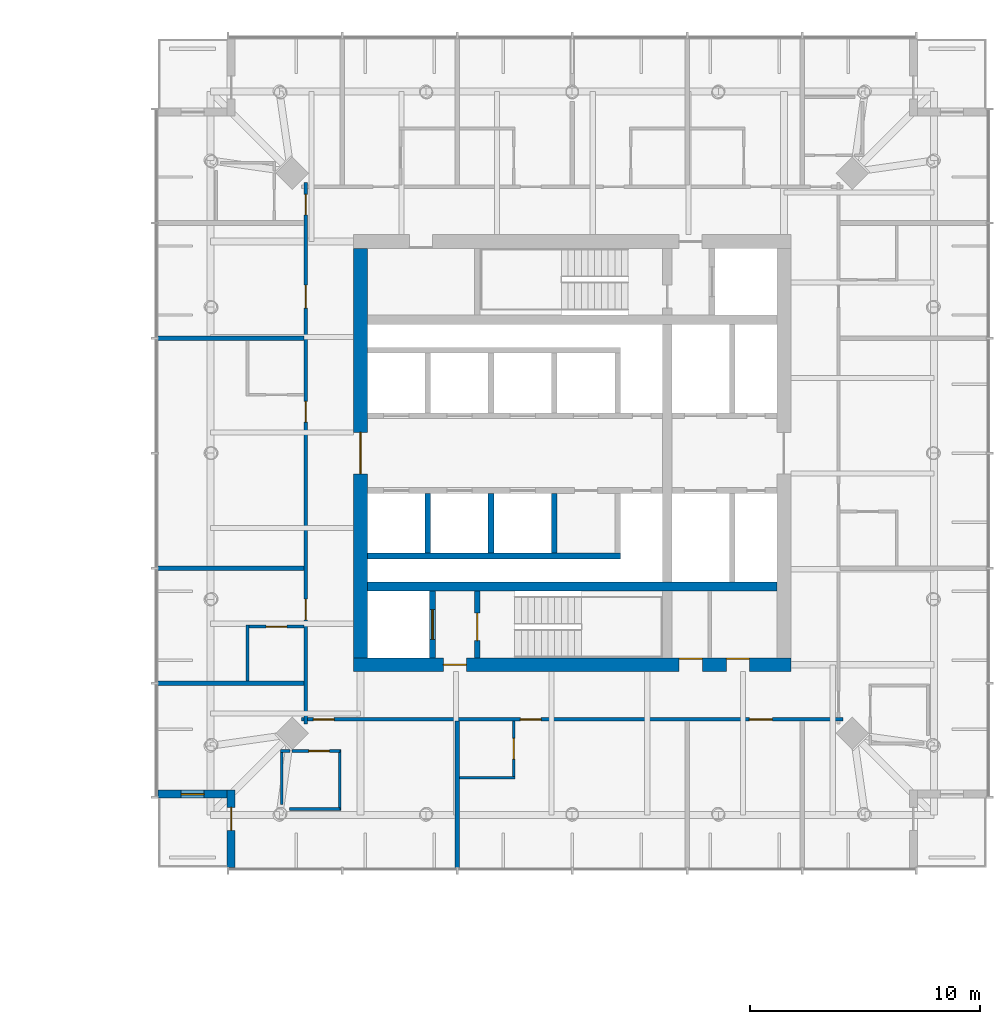
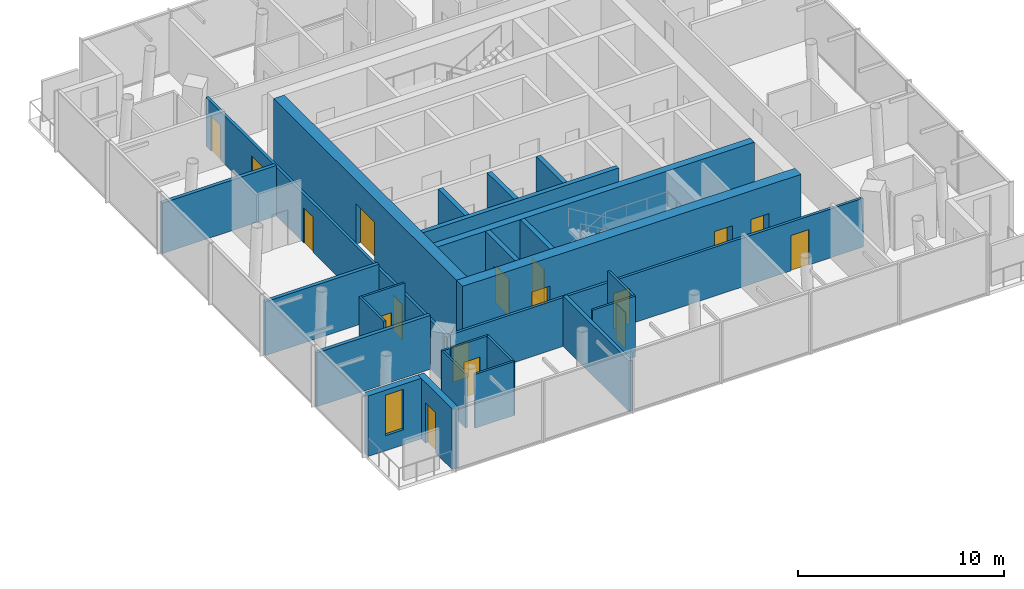
# One storey, part 12 of 18: 26 walls, 17 doors, 1 window, 18 openings.
"""IFC4 building model written with IfcOpenShell, lengths in metres."""

from ifc_helpers import new_model, si_unit, direction, frame, frame_2d, origin, place, context, subcontext, project, spatial, rectangle, extrude, material, layer, layer_set, type_object, element, fill, save


model = new_model("IFC4")

# Units and contexts
model_context = context("Model", 3, precision=1e-05, world=origin(), true_north=direction((0.0, 1.0)))
body_context = subcontext(model_context, "Body", "Model", "MODEL_VIEW")
ifc_project = project(units=[si_unit("LENGTHUNIT", "METRE"), si_unit("AREAUNIT", "SQUARE_METRE"), si_unit("VOLUMEUNIT", "CUBIC_METRE"), si_unit("PLANEANGLEUNIT", "RADIAN"), si_unit("MASSUNIT", "GRAM", prefix="KILO")], contexts=[model_context])

# Site, building, storey
site_placement = place(None, origin())
site = spatial("IfcSite", under=ifc_project, at=site_placement, CompositionType="ELEMENT")
building_placement = place(site_placement, origin())
building = spatial("IfcBuilding", under=site, at=building_placement, Name="Ostroluk Exchange", CompositionType="ELEMENT")
storey_placement = place(building_placement, frame((0.0, 0.0, 97.0)))
storey = spatial("IfcBuildingStorey", under=building, at=storey_placement, Name="L24", CompositionType="ELEMENT", Elevation=97.0)

# Wall
ifc_material_1 = material(Name="Concrete C50/60", Category="concrete")
ifc_layer_1 = layer(ifc_material_1, 0.39990234375)
ifc_layer_set_1 = layer_set([ifc_layer_1], Name="Core cross wall 400 C50/60")
wall_type_1 = type_object("IfcWallType", Name="Core cross wall 400 C50/60", PredefinedType="SHEAR", material=ifc_layer_set_1)
wall_1_placement = place(storey_placement, frame((108.10009765625, 40.199951171875, 0.0), z_axis=(0.0, 0.0, 1.0), x_axis=(1.0, 0.0, 0.0)))
element("IfcWall", 1, at=wall_1_placement, inside=storey, type_object=wall_type_1, Name="T2 core wall XS", PredefinedType="SHEAR", context=body_context, shape_type="SweptSolid", body=[
    extrude(rectangle(XDim=17.7998046875, YDim=0.39990234375, at=frame_2d((8.89990234375, 0.0))), origin(), (0.0, 0.0, 1.0), 3.800048828125),
])

# Wall, opening, door
ifc_material_2 = material(Name="Concrete C40/50", Category="concrete")
ifc_layer_2 = layer(ifc_material_2, 0.25)
ifc_layer_set_2 = layer_set([ifc_layer_2], Name="Core shaft wall 250")
wall_type_2 = type_object("IfcWallType", Name="Core shaft wall 250", PredefinedType="SHEAR", material=ifc_layer_set_2)
wall_2_placement = place(storey_placement, frame((110.925048828125, 37.10009765625, 0.0), z_axis=(0.0, 0.0, 1.0), x_axis=(0.0, 1.0, 0.0)))
wall_2 = element("IfcWall", 2, at=wall_2_placement, inside=storey, type_object=wall_type_2, Name="Firefighting lift shaft wall", PredefinedType="SHEAR", context=body_context, shape_type="SweptSolid", body=[
    extrude(rectangle(XDim=2.89990234375, YDim=0.25, at=frame_2d((1.449951171875, 0.0))), origin(), (0.0, 0.0, 1.0), 3.800048828125),
])
opening_1_placement = place(wall_2_placement, frame((0.800048828125, 0.0, 0.0)))
opening_1 = element("IfcOpeningElement", 3, at=opening_1_placement, cuts=wall_2, Name="Opening LD2", PredefinedType="OPENING", context=body_context, shape_type="SweptSolid", body=[
    extrude(rectangle(XDim=1.300048828125, YDim=2.199951171875, at=frame_2d((0.64990234375, 1.10009765625))), frame((0.0, 0.135009765625, 0.0), z_axis=(0.0, -1.0, 0.0), x_axis=(1.0, 0.0, 0.0)), (0.0, 0.0, 1.0), 0.27001953125),
])
ifc_material_3 = material(Name="Stainless steel", Category="steel")
door_type_1 = type_object("IfcDoorType", Name="Lift landing door E 60 1300 x 2200", OperationType="DOUBLE_DOOR_SLIDING", PredefinedType="DOOR", material=ifc_material_3)
door_1_placement = place(opening_1_placement, origin())
door_1 = element("IfcDoor", 4, at=door_1_placement, inside=storey, type_object=door_type_1, Name="Lift HF1 landing door", OperationType="DOUBLE_DOOR_SLIDING", OverallHeight=2.199951171875, OverallWidth=1.300048828125, PredefinedType="DOOR", context=body_context, shape_type="SweptSolid", body=[
    extrude(rectangle(XDim=1.300048828125, YDim=2.199951171875, at=frame_2d((0.64990234375, 1.10009765625))), frame((0.0, 0.02490234375, 0.0), z_axis=(0.0, -1.0, 0.0), x_axis=(1.0, 0.0, 0.0)), (0.0, 0.0, 1.0), 0.050048828125),
])
fill(opening_1, door_1)

wall_3_placement = place(storey_placement, frame((112.875, 37.10009765625, 0.0), z_axis=(0.0, 0.0, 1.0), x_axis=(0.0, 1.0, 0.0)))
wall_3 = element("IfcWall", 5, at=wall_3_placement, inside=storey, type_object=wall_type_2, Name="Stair shaft wall", PredefinedType="SHEAR", context=body_context, shape_type="SweptSolid", body=[
    extrude(rectangle(XDim=2.89990234375, YDim=0.25, at=frame_2d((1.449951171875, 0.0))), origin(), (0.0, 0.0, 1.0), 3.800048828125),
])
opening_2_placement = place(wall_3_placement, frame((0.75, 0.0, 0.0)))
opening_2 = element("IfcOpeningElement", 6, at=opening_2_placement, cuts=wall_3, Name="Opening FD60S", PredefinedType="OPENING", context=body_context, shape_type="SweptSolid", body=[
    extrude(rectangle(XDim=1.199951171875, YDim=2.10009765625, at=frame_2d((0.60009765625, 1.050048828125))), frame((0.0, 0.135009765625, 0.0), z_axis=(0.0, -1.0, 0.0), x_axis=(1.0, 0.0, 0.0)), (0.0, 0.0, 1.0), 0.27001953125),
])
ifc_material_4 = material(Name="Steel", Category="steel")
door_type_2 = type_object("IfcDoorType", Name="Stair door EI 60 1200 x 2100", OperationType="SINGLE_SWING_LEFT", PredefinedType="DOOR", material=ifc_material_4)
door_2_placement = place(opening_2_placement, origin())
door_2 = element("IfcDoor", 7, at=door_2_placement, inside=storey, type_object=door_type_2, Name="Stair T2-S1 door", OperationType="SINGLE_SWING_LEFT", OverallHeight=2.10009765625, OverallWidth=1.199951171875, PredefinedType="DOOR", context=body_context, shape_type="SweptSolid", body=[
    extrude(rectangle(XDim=1.199951171875, YDim=2.10009765625, at=frame_2d((0.60009765625, 1.050048828125))), frame((0.0, 0.02490234375, 0.0), z_axis=(0.0, -1.0, 0.0), x_axis=(1.0, 0.0, 0.0)), (0.0, 0.0, 1.0), 0.050048828125),
])
fill(opening_2, door_2)

# Walls
for number, where, z_axis, x_axis, name in (
    (8, (110.72509765625, 44.25, 0.0), (0.0, 0.0, 1.0), (0.0, -1.0, 0.0), "Lift shaft wall"),
    (9, (113.47509765625, 44.25, 0.0), (0.0, 0.0, 1.0), (0.0, -1.0, 0.0), "Lift shaft wall"),
    (10, (116.22509765625, 44.25, 0.0), (0.0, 0.0, 1.0), (0.0, -1.0, 0.0), "Lift shaft wall"),
):
    element("IfcWall", number, at=place(storey_placement, frame(where, z_axis=z_axis, x_axis=x_axis)), inside=storey, type_object=wall_type_2, Name=name, PredefinedType="SHEAR", context=body_context, shape_type="SweptSolid", body=[
        extrude(rectangle(XDim=2.60009765625, YDim=0.25, at=frame_2d((1.300048828125, 0.0))), origin(), (0.0, 0.0, 1.0), 3.800048828125),
    ])
wall_4_placement = place(storey_placement, frame((108.10009765625, 41.52490234375, 0.0), z_axis=(0.0, 0.0, 1.0), x_axis=(1.0, 0.0, 0.0)))
element("IfcWall", 11, at=wall_4_placement, inside=storey, type_object=wall_type_2, Name="Lift shaft wall", PredefinedType="SHEAR", context=body_context, shape_type="SweptSolid", body=[
    extrude(rectangle(XDim=11.0, YDim=0.25, at=frame_2d((5.5, 0.0))), origin(), (0.0, 0.0, 1.0), 3.800048828125),
])

# Wall, openings, doors
ifc_material_5 = material(Name="Concrete C50/60", Category="concrete")
ifc_layer_3 = layer(ifc_material_5, 0.60009765625)
ifc_layer_set_3 = layer_set([ifc_layer_3], Name="Core wall 600 C50/60")
wall_type_3 = type_object("IfcWallType", Name="Core wall 600 C50/60", PredefinedType="SHEAR", material=ifc_layer_set_3)
wall_5_placement = place(storey_placement, frame((107.5, 36.800048828125, 0.0), z_axis=(0.0, 0.0, 1.0), x_axis=(1.0, 0.0, 0.0)))
wall_5 = element("IfcWall", 12, at=wall_5_placement, inside=storey, type_object=wall_type_3, Name="T2 core wall S", PredefinedType="SHEAR", context=body_context, shape_type="SweptSolid", body=[
    extrude(rectangle(XDim=19.0, YDim=0.60009765625, at=frame_2d((9.5, 0.0))), origin(), (0.0, 0.0, 1.0), 3.800048828125),
])
opening_3_placement = place(wall_5_placement, frame((3.89990234375, 0.0, 0.0)))
opening_3 = element("IfcOpeningElement", 13, at=opening_3_placement, cuts=wall_5, Name="Opening FD60", PredefinedType="OPENING", context=body_context, shape_type="SweptSolid", body=[
    extrude(rectangle(XDim=1.0, YDim=2.10009765625, at=frame_2d((0.5, 1.050048828125))), frame((0.0, 0.31005859375, 0.0), z_axis=(0.0, -1.0, 0.0), x_axis=(1.0, 0.0, 0.0)), (0.0, 0.0, 1.0), 0.6201171875),
])
opening_4_placement = place(wall_5_placement, frame((14.152587890625, 0.0, 0.0)))
opening_4 = element("IfcOpeningElement", 14, at=opening_4_placement, cuts=wall_5, Name="Opening FD60", PredefinedType="OPENING", context=body_context, shape_type="SweptSolid", body=[
    extrude(rectangle(XDim=1.0, YDim=2.10009765625, at=frame_2d((0.5, 1.050048828125))), frame((0.0, 0.31005859375, 0.0), z_axis=(0.0, -1.0, 0.0), x_axis=(1.0, 0.0, 0.0)), (0.0, 0.0, 1.0), 0.6201171875),
])
opening_5_placement = place(wall_5_placement, frame((16.199951171875, 0.0, 0.0)))
opening_5 = element("IfcOpeningElement", 15, at=opening_5_placement, cuts=wall_5, Name="Opening FD60", PredefinedType="OPENING", context=body_context, shape_type="SweptSolid", body=[
    extrude(rectangle(XDim=1.0, YDim=2.10009765625, at=frame_2d((0.5, 1.050048828125))), frame((0.0, 0.31005859375, 0.0), z_axis=(0.0, -1.0, 0.0), x_axis=(1.0, 0.0, 0.0)), (0.0, 0.0, 1.0), 0.6201171875),
])
ifc_material_6 = material(Name="Steel", Category="steel")
door_type_3 = type_object("IfcDoorType", Name="Fire door EI 60 1000 x 2100", OperationType="SINGLE_SWING_LEFT", PredefinedType="DOOR", material=ifc_material_6)
door_3_placement = place(opening_3_placement, origin())
door_3 = element("IfcDoor", 16, at=door_3_placement, inside=storey, type_object=door_type_3, Name="Firefighting lobby door", OperationType="SINGLE_SWING_LEFT", OverallHeight=2.10009765625, OverallWidth=1.0, PredefinedType="DOOR", context=body_context, shape_type="SweptSolid", body=[
    extrude(rectangle(XDim=1.0, YDim=2.10009765625, at=frame_2d((0.5, 1.050048828125))), frame((0.0, 0.02490234375, 0.0), z_axis=(0.0, -1.0, 0.0), x_axis=(1.0, 0.0, 0.0)), (0.0, 0.0, 1.0), 0.050048828125),
])
fill(opening_3, door_3)
door_4_placement = place(opening_4_placement, origin())
door_4 = element("IfcDoor", 17, at=door_4_placement, inside=storey, type_object=door_type_3, Name="Comms room door", OperationType="SINGLE_SWING_RIGHT", OverallHeight=2.10009765625, OverallWidth=1.0, PredefinedType="DOOR", context=body_context, shape_type="SweptSolid", body=[
    extrude(rectangle(XDim=1.0, YDim=2.10009765625, at=frame_2d((0.5, 1.050048828125))), frame((0.0, 0.2900390625, 0.0), z_axis=(0.0, -1.0, 0.0), x_axis=(1.0, 0.0, 0.0)), (0.0, 0.0, 1.0), 0.050048828125),
])
fill(opening_4, door_4)
door_5_placement = place(opening_5_placement, origin())
door_5 = element("IfcDoor", 18, at=door_5_placement, inside=storey, type_object=door_type_3, Name="Ice and vending room door", OperationType="SINGLE_SWING_RIGHT", OverallHeight=2.10009765625, OverallWidth=1.0, PredefinedType="DOOR", context=body_context, shape_type="SweptSolid", body=[
    extrude(rectangle(XDim=1.0, YDim=2.10009765625, at=frame_2d((0.5, 1.050048828125))), frame((0.0, 0.2900390625, 0.0), z_axis=(0.0, -1.0, 0.0), x_axis=(1.0, 0.0, 0.0)), (0.0, 0.0, 1.0), 0.050048828125),
])
fill(opening_5, door_5)

# Wall, opening, door
wall_6_placement = place(storey_placement, frame((107.800048828125, 37.10009765625, 0.0), z_axis=(0.0, 0.0, 1.0), x_axis=(0.0, 1.0, 0.0)))
wall_6 = element("IfcWall", 19, at=wall_6_placement, inside=storey, type_object=wall_type_3, Name="T2 core wall W", PredefinedType="SHEAR", context=body_context, shape_type="SweptSolid", body=[
    extrude(rectangle(XDim=17.7998046875, YDim=0.60009765625, at=frame_2d((8.89990234375, 0.0))), origin(), (0.0, 0.0, 1.0), 3.800048828125),
])
opening_6_placement = place(wall_6_placement, frame((8.0, 0.0, 0.0)))
opening_6 = element("IfcOpeningElement", 20, at=opening_6_placement, cuts=wall_6, Name="Opening FD30D", PredefinedType="OPENING", context=body_context, shape_type="SweptSolid", body=[
    extrude(rectangle(XDim=1.800048828125, YDim=2.39990234375, at=frame_2d((0.89990234375, 1.199951171875))), frame((0.0, 0.31005859375, 0.0), z_axis=(0.0, -1.0, 0.0), x_axis=(1.0, 0.0, 0.0)), (0.0, 0.0, 1.0), 0.6201171875),
])
ifc_material_7 = material(Name="Timber", Category="wood")
door_type_4 = type_object("IfcDoorType", Name="Lobby double door EI 30 1800 x 2400", OperationType="DOUBLE_DOOR_SINGLE_SWING", PredefinedType="DOOR", material=ifc_material_7)
door_6_placement = place(opening_6_placement, origin())
door_6 = element("IfcDoor", 21, at=door_6_placement, inside=storey, type_object=door_type_4, Name="Lift lobby doors", OperationType="DOUBLE_DOOR_SINGLE_SWING", OverallHeight=2.39990234375, OverallWidth=1.800048828125, PredefinedType="DOOR", context=body_context, shape_type="SweptSolid", body=[
    extrude(rectangle(XDim=1.800048828125, YDim=2.39990234375, at=frame_2d((0.89990234375, 1.199951171875))), frame((0.0, 0.02490234375, 0.0), z_axis=(0.0, -1.0, 0.0), x_axis=(1.0, 0.0, 0.0)), (0.0, 0.0, 1.0), 0.050048828125),
])
fill(opening_6, door_6)

ifc_material_8 = material(Name="Limestone", Category="masonry")
ifc_layer_4 = layer(ifc_material_8, 0.35009765625)
ifc_layer_set_4 = layer_set([ifc_layer_4], Name="Limestone facade wall 350")
wall_type_4 = type_object("IfcWallType", Name="Limestone facade wall 350", PredefinedType="SOLIDWALL", material=ifc_layer_set_4)
wall_7_placement = place(storey_placement, frame((102.175048828125, 28.0, 0.0), z_axis=(0.0, 0.0, 1.0), x_axis=(0.0, 1.0, 0.0)))
wall_7 = element("IfcWall", 22, at=wall_7_placement, inside=storey, type_object=wall_type_4, Name="Hotel tower SW corner wall L24 a", PredefinedType="SOLIDWALL", context=body_context, shape_type="SweptSolid", body=[
    extrude(rectangle(XDim=3.35009765625, YDim=0.35009765625, at=frame_2d((1.675048828125, 0.0))), origin(), (0.0, 0.0, 1.0), 3.60009765625),
])
opening_7_placement = place(wall_7_placement, frame((1.60009765625, 0.0, 0.0)))
opening_7 = element("IfcOpeningElement", 23, at=opening_7_placement, cuts=wall_7, Name="Opening D-B1", PredefinedType="OPENING", context=body_context, shape_type="SweptSolid", body=[
    extrude(rectangle(XDim=1.0, YDim=2.39990234375, at=frame_2d((0.5, 1.199951171875))), frame((0.0, 0.18505859375, 0.0), z_axis=(0.0, -1.0, 0.0), x_axis=(1.0, 0.0, 0.0)), (0.0, 0.0, 1.0), 0.3701171875),
])
ifc_material_9 = material(Name="Bronze framed glazed door", Category="aluminium")
door_type_5 = type_object("IfcDoorType", Name="Balcony door 1000 x 2400", OperationType="SINGLE_SWING_LEFT", PredefinedType="DOOR", material=ifc_material_9)
door_7_placement = place(opening_7_placement, origin())
door_7 = element("IfcDoor", 24, at=door_7_placement, inside=storey, type_object=door_type_5, Name="Hotel tower SW balcony door L24", OperationType="SINGLE_SWING_RIGHT", OverallHeight=2.39990234375, OverallWidth=1.0, PredefinedType="DOOR", context=body_context, shape_type="SweptSolid", body=[
    extrude(rectangle(XDim=1.0, YDim=2.39990234375, at=frame_2d((0.5, 1.199951171875))), frame((0.0, 0.02490234375, 0.0), z_axis=(0.0, -1.0, 0.0), x_axis=(1.0, 0.0, 0.0)), (0.0, 0.0, 1.0), 0.050048828125),
])
fill(opening_7, door_7)

# Wall, opening, window
wall_8_placement = place(storey_placement, frame((102.0, 31.175048828125, 0.0), z_axis=(0.0, 0.0, 1.0), x_axis=(-1.0, 0.0, 0.0)))
wall_8 = element("IfcWall", 25, at=wall_8_placement, inside=storey, type_object=wall_type_4, Name="Hotel tower SW corner wall L24 b", PredefinedType="SOLIDWALL", context=body_context, shape_type="SweptSolid", body=[
    extrude(rectangle(XDim=3.0, YDim=0.35009765625, at=frame_2d((1.5, 0.0))), origin(), (0.0, 0.0, 1.0), 3.60009765625),
])
opening_8_placement = place(wall_8_placement, frame((1.0, 0.0, 0.89990234375)))
opening_8 = element("IfcOpeningElement", 26, at=opening_8_placement, cuts=wall_8, Name="Opening WN-L3", PredefinedType="OPENING", context=body_context, shape_type="SweptSolid", body=[
    extrude(rectangle(XDim=1.0, YDim=2.39990234375, at=frame_2d((0.5, 1.199951171875))), frame((0.0, 0.18505859375, 0.0), z_axis=(0.0, -1.0, 0.0), x_axis=(1.0, 0.0, 0.0)), (0.0, 0.0, 1.0), 0.3701171875),
])
ifc_material_10 = material(Name="Laminated clear glass", Category="glass")
window_type = type_object("IfcWindowType", Name="Hotel lancet window 1000 x 2400", PartitioningType="SINGLE_PANEL", PredefinedType="WINDOW", material=ifc_material_10)
window_placement = place(opening_8_placement, origin())
window = element("IfcWindow", 27, at=window_placement, inside=storey, type_object=window_type, Name="Hotel tower SW lancet window L24", OverallHeight=2.39990234375, OverallWidth=1.0, PartitioningType="SINGLE_PANEL", PredefinedType="WINDOW", context=body_context, shape_type="SweptSolid", body=[
    extrude(rectangle(XDim=1.0, YDim=2.39990234375, at=frame_2d((0.5, 1.199951171875))), frame((0.0, 0.030029296875, 0.0), z_axis=(0.0, -1.0, 0.0), x_axis=(1.0, 0.0, 0.0)), (0.0, 0.0, 1.0), 0.06005859375),
])
fill(opening_8, window)

# Wall
ifc_material_11 = material(Name="Gypsum plasterboard partition, moisture resistant", Category="gypsum")
ifc_layer_5 = layer(ifc_material_11, 0.1201171875)
ifc_layer_set_5 = layer_set([ifc_layer_5], Name="Plasterboard en-suite wall 120")
wall_type_5 = type_object("IfcWallType", Name="Plasterboard en-suite wall 120", PredefinedType="PARTITIONING", material=ifc_layer_set_5)
wall_9_placement = place(storey_placement, frame((102.889892578125, 38.52001953125, 0.0), z_axis=(0.0, 0.0, 1.0), x_axis=(0.0, -1.0, 0.0)))
element("IfcWall", 28, at=wall_9_placement, inside=storey, type_object=wall_type_5, Name="En-suite wall", PredefinedType="PARTITIONING", context=body_context, shape_type="SweptSolid", body=[
    extrude(rectangle(XDim=2.419921875, YDim=0.1201171875, at=frame_2d((1.2099609375, 0.0))), origin(), (0.0, 0.0, 1.0), 3.60009765625),
])

# Wall, opening, door
wall_10_placement = place(storey_placement, frame((105.35009765625, 38.4599609375, 0.0), z_axis=(0.0, 0.0, 1.0), x_axis=(-1.0, 0.0, 0.0)))
wall_10 = element("IfcWall", 29, at=wall_10_placement, inside=storey, type_object=wall_type_5, Name="En-suite wall", PredefinedType="PARTITIONING", context=body_context, shape_type="SweptSolid", body=[
    extrude(rectangle(XDim=2.400146484375, YDim=0.1201171875, at=frame_2d((1.2001953125, 0.0))), origin(), (0.0, 0.0, 1.0), 3.60009765625),
])
opening_9_placement = place(wall_10_placement, frame((0.75, 0.0, 0.0)))
opening_9 = element("IfcOpeningElement", 30, at=opening_9_placement, cuts=wall_10, Name="Opening D-02", PredefinedType="OPENING", context=body_context, shape_type="SweptSolid", body=[
    extrude(rectangle(XDim=0.89990234375, YDim=2.10009765625, at=frame_2d((0.449951171875, 1.050048828125))), frame((0.0, 0.070068359375, 0.0), z_axis=(0.0, -1.0, 0.0), x_axis=(1.0, 0.0, 0.0)), (0.0, 0.0, 1.0), 0.14013671875),
])
ifc_material_12 = material(Name="Timber", Category="wood")
door_type_6 = type_object("IfcDoorType", Name="En-suite door 900 x 2100", OperationType="SINGLE_SWING_LEFT", PredefinedType="DOOR", material=ifc_material_12)
door_8_placement = place(opening_9_placement, origin())
door_8 = element("IfcDoor", 31, at=door_8_placement, inside=storey, type_object=door_type_6, Name="En-suite door 2411", OperationType="SINGLE_SWING_RIGHT", OverallHeight=2.10009765625, OverallWidth=0.89990234375, PredefinedType="DOOR", context=body_context, shape_type="SweptSolid", body=[
    extrude(rectangle(XDim=0.89990234375, YDim=2.10009765625, at=frame_2d((0.449951171875, 1.050048828125))), frame((0.0, 0.02490234375, 0.0), z_axis=(0.0, -1.0, 0.0), x_axis=(1.0, 0.0, 0.0)), (0.0, 0.0, 1.0), 0.050048828125),
])
fill(opening_9, door_8)

wall_11_placement = place(storey_placement, frame((106.89990234375, 33.050048828125, 0.0), z_axis=(0.0, 0.0, 1.0), x_axis=(-1.0, 0.0, 0.0)))
wall_11 = element("IfcWall", 32, at=wall_11_placement, inside=storey, type_object=wall_type_5, Name="En-suite wall", PredefinedType="PARTITIONING", context=body_context, shape_type="SweptSolid", body=[
    extrude(rectangle(XDim=2.082763671875, YDim=0.1201171875, at=frame_2d((1.04150390625, 0.0))), origin(), (0.0, 0.0, 1.0), 3.199951171875),
])
opening_10_placement = place(wall_11_placement, frame((0.449951171875, 0.0, 0.0)))
opening_10 = element("IfcOpeningElement", 33, at=opening_10_placement, cuts=wall_11, Name="Opening D-02", PredefinedType="OPENING", context=body_context, shape_type="SweptSolid", body=[
    extrude(rectangle(XDim=0.89990234375, YDim=2.10009765625, at=frame_2d((0.449951171875, 1.050048828125))), frame((0.0, 0.070068359375, 0.0), z_axis=(0.0, -1.0, 0.0), x_axis=(1.0, 0.0, 0.0)), (0.0, 0.0, 1.0), 0.14013671875),
])
door_9_placement = place(opening_10_placement, origin())
door_9 = element("IfcDoor", 34, at=door_9_placement, inside=storey, type_object=door_type_6, Name="En-suite door 2412", OperationType="SINGLE_SWING_LEFT", OverallHeight=2.10009765625, OverallWidth=0.89990234375, PredefinedType="DOOR", context=body_context, shape_type="SweptSolid", body=[
    extrude(rectangle(XDim=0.89990234375, YDim=2.10009765625, at=frame_2d((0.449951171875, 1.050048828125))), frame((0.0, 0.02490234375, 0.0), z_axis=(0.0, -1.0, 0.0), x_axis=(1.0, 0.0, 0.0)), (0.0, 0.0, 1.0), 0.050048828125),
])
fill(opening_10, door_9)

# Walls
wall_12_placement = place(storey_placement, frame((104.734619140625, 33.050048828125, 0.0), z_axis=(0.0, 0.0, 1.0), x_axis=(-1.0, 0.0, 0.0)))
element("IfcWall", 35, at=wall_12_placement, inside=storey, type_object=wall_type_5, Name="En-suite wall", PredefinedType="PARTITIONING", context=body_context, shape_type="SweptSolid", body=[
    extrude(rectangle(XDim=0.41455078125, YDim=0.1201171875, at=frame_2d((0.207275390625, 0.0))), origin(), (0.0, 0.0, 1.0), 3.199951171875),
])
wall_13_placement = place(storey_placement, frame((106.89990234375, 30.530029296875, 0.0), z_axis=(0.0, 0.0, 1.0), x_axis=(-1.0, 0.0, 0.0)))
element("IfcWall", 36, at=wall_13_placement, inside=storey, type_object=wall_type_5, Name="En-suite wall", PredefinedType="PARTITIONING", context=body_context, shape_type="SweptSolid", body=[
    extrude(rectangle(XDim=2.1806640625, YDim=0.1201171875, at=frame_2d((1.09033203125, 0.0))), origin(), (0.0, 0.0, 1.0), 3.199951171875),
])
wall_14_placement = place(storey_placement, frame((104.3798828125, 33.06884765625, 0.0), z_axis=(0.0, 0.0, 1.0), x_axis=(0.0, -1.0, 0.0)))
element("IfcWall", 37, at=wall_14_placement, inside=storey, type_object=wall_type_5, Name="En-suite wall", PredefinedType="PARTITIONING", context=body_context, shape_type="SweptSolid", body=[
    extrude(rectangle(XDim=2.349609375, YDim=0.1201171875, at=frame_2d((1.1748046875, 0.0))), origin(), (0.0, 0.0, 1.0), 3.199951171875),
])
wall_15_placement = place(storey_placement, frame((106.89990234375, 33.110107421875, 0.0), z_axis=(0.0, 0.0, 1.0), x_axis=(0.0, -1.0, 0.0)))
element("IfcWall", 38, at=wall_15_placement, inside=storey, type_object=wall_type_5, Name="En-suite wall", PredefinedType="PARTITIONING", context=body_context, shape_type="SweptSolid", body=[
    extrude(rectangle(XDim=2.64013671875, YDim=0.1201171875, at=frame_2d((1.320068359375, 0.0))), origin(), (0.0, 0.0, 1.0), 3.199951171875),
])
wall_16_placement = place(storey_placement, frame((112.10009765625, 31.889892578125, 0.0), z_axis=(0.0, 0.0, 1.0), x_axis=(1.0, 0.0, 0.0)))
element("IfcWall", 39, at=wall_16_placement, inside=storey, type_object=wall_type_5, Name="En-suite wall", PredefinedType="PARTITIONING", context=body_context, shape_type="SweptSolid", body=[
    extrude(rectangle(XDim=2.419921875, YDim=0.1201171875, at=frame_2d((1.2099609375, 0.0))), origin(), (0.0, 0.0, 1.0), 3.60009765625),
])

# Wall, opening, door
wall_17_placement = place(storey_placement, frame((114.4599609375, 34.35009765625, 0.0), z_axis=(0.0, 0.0, 1.0), x_axis=(0.0, -1.0, 0.0)))
wall_17 = element("IfcWall", 40, at=wall_17_placement, inside=storey, type_object=wall_type_5, Name="En-suite wall", PredefinedType="PARTITIONING", context=body_context, shape_type="SweptSolid", body=[
    extrude(rectangle(XDim=2.400146484375, YDim=0.1201171875, at=frame_2d((1.2001953125, 0.0))), origin(), (0.0, 0.0, 1.0), 3.60009765625),
])
opening_11_placement = place(wall_17_placement, frame((0.75, 0.0, 0.0)))
opening_11 = element("IfcOpeningElement", 41, at=opening_11_placement, cuts=wall_17, Name="Opening D-02", PredefinedType="OPENING", context=body_context, shape_type="SweptSolid", body=[
    extrude(rectangle(XDim=0.89990234375, YDim=2.10009765625, at=frame_2d((0.449951171875, 1.050048828125))), frame((0.0, 0.070068359375, 0.0), z_axis=(0.0, -1.0, 0.0), x_axis=(1.0, 0.0, 0.0)), (0.0, 0.0, 1.0), 0.14013671875),
])
door_10_placement = place(opening_11_placement, origin())
door_10 = element("IfcDoor", 42, at=door_10_placement, inside=storey, type_object=door_type_6, Name="En-suite door 2413", OperationType="SINGLE_SWING_LEFT", OverallHeight=2.10009765625, OverallWidth=0.89990234375, PredefinedType="DOOR", context=body_context, shape_type="SweptSolid", body=[
    extrude(rectangle(XDim=0.89990234375, YDim=2.10009765625, at=frame_2d((0.449951171875, 1.050048828125))), frame((0.0, 0.02490234375, 0.0), z_axis=(0.0, -1.0, 0.0), x_axis=(1.0, 0.0, 0.0)), (0.0, 0.0, 1.0), 0.050048828125),
])
fill(opening_11, door_10)

# Wall, openings, doors
ifc_material_13 = material(Name="Gypsum plasterboard partition", Category="gypsum")
ifc_layer_6 = layer(ifc_material_13, 0.14990234375)
ifc_layer_set_6 = layer_set([ifc_layer_6], Name="Plasterboard partition 150")
wall_type_6 = type_object("IfcWallType", Name="Plasterboard partition 150", PredefinedType="PARTITIONING", material=ifc_layer_set_6)
wall_18_placement = place(storey_placement, frame((105.425048828125, 57.763671875, 0.0), z_axis=(0.0, 0.0, 1.0), x_axis=(0.0, -1.0, 0.0)))
wall_18 = element("IfcWall", 43, at=wall_18_placement, inside=storey, type_object=wall_type_6, Name="Corridor wall", PredefinedType="PARTITIONING", context=body_context, shape_type="SweptSolid", body=[
    extrude(rectangle(XDim=23.52734375, YDim=0.14990234375, at=frame_2d((11.763671875, 0.0))), origin(), (0.0, 0.0, 1.0), 2.89990234375),
])
opening_12_placement = place(wall_18_placement, frame((0.513671875, 0.0, 0.0)))
opening_12 = element("IfcOpeningElement", 44, at=opening_12_placement, cuts=wall_18, Name="Opening D-01", PredefinedType="OPENING", context=body_context, shape_type="SweptSolid", body=[
    extrude(rectangle(XDim=0.89990234375, YDim=2.10009765625, at=frame_2d((0.449951171875, 1.050048828125))), frame((0.0, 0.0849609375, 0.0), z_axis=(0.0, -1.0, 0.0), x_axis=(1.0, 0.0, 0.0)), (0.0, 0.0, 1.0), 0.169921875),
])
opening_13_placement = place(wall_18_placement, frame((4.463623046875, 0.0, 0.0)))
opening_13 = element("IfcOpeningElement", 45, at=opening_13_placement, cuts=wall_18, Name="Opening D-03", PredefinedType="OPENING", context=body_context, shape_type="SweptSolid", body=[
    extrude(rectangle(XDim=1.0, YDim=2.10009765625, at=frame_2d((0.5, 1.050048828125))), frame((0.0, 0.0849609375, 0.0), z_axis=(0.0, -1.0, 0.0), x_axis=(1.0, 0.0, 0.0)), (0.0, 0.0, 1.0), 0.169921875),
])
opening_14_placement = place(wall_18_placement, frame((9.513671875, 0.0, 0.0)))
opening_14 = element("IfcOpeningElement", 46, at=opening_14_placement, cuts=wall_18, Name="Opening D-01", PredefinedType="OPENING", context=body_context, shape_type="SweptSolid", body=[
    extrude(rectangle(XDim=0.89990234375, YDim=2.10009765625, at=frame_2d((0.449951171875, 1.050048828125))), frame((0.0, 0.0849609375, 0.0), z_axis=(0.0, -1.0, 0.0), x_axis=(1.0, 0.0, 0.0)), (0.0, 0.0, 1.0), 0.169921875),
])
opening_15_placement = place(wall_18_placement, frame((18.113525390625, 0.0, 0.0)))
opening_15 = element("IfcOpeningElement", 47, at=opening_15_placement, cuts=wall_18, Name="Opening D-01", PredefinedType="OPENING", context=body_context, shape_type="SweptSolid", body=[
    extrude(rectangle(XDim=0.89990234375, YDim=2.10009765625, at=frame_2d((0.449951171875, 1.050048828125))), frame((0.0, 0.0849609375, 0.0), z_axis=(0.0, -1.0, 0.0), x_axis=(1.0, 0.0, 0.0)), (0.0, 0.0, 1.0), 0.169921875),
])
ifc_material_14 = material(Name="Timber", Category="wood")
door_type_7 = type_object("IfcDoorType", Name="Hotel room door EI 30 Sa 900 x 2100", OperationType="SINGLE_SWING_LEFT", PredefinedType="DOOR", material=ifc_material_14)
door_11_placement = place(opening_12_placement, origin())
door_11 = element("IfcDoor", 48, at=door_11_placement, inside=storey, type_object=door_type_7, Name="Room door 2409", OperationType="SINGLE_SWING_LEFT", OverallHeight=2.10009765625, OverallWidth=0.89990234375, PredefinedType="DOOR", context=body_context, shape_type="SweptSolid", body=[
    extrude(rectangle(XDim=0.89990234375, YDim=2.10009765625, at=frame_2d((0.449951171875, 1.050048828125))), frame((0.0, 0.02490234375, 0.0), z_axis=(0.0, -1.0, 0.0), x_axis=(1.0, 0.0, 0.0)), (0.0, 0.0, 1.0), 0.050048828125),
])
fill(opening_12, door_11)
door_12_placement = place(opening_14_placement, origin())
door_12 = element("IfcDoor", 49, at=door_12_placement, inside=storey, type_object=door_type_7, Name="Room door 2410", OperationType="SINGLE_SWING_LEFT", OverallHeight=2.10009765625, OverallWidth=0.89990234375, PredefinedType="DOOR", context=body_context, shape_type="SweptSolid", body=[
    extrude(rectangle(XDim=0.89990234375, YDim=2.10009765625, at=frame_2d((0.449951171875, 1.050048828125))), frame((0.0, 0.02490234375, 0.0), z_axis=(0.0, -1.0, 0.0), x_axis=(1.0, 0.0, 0.0)), (0.0, 0.0, 1.0), 0.050048828125),
])
fill(opening_14, door_12)
door_13_placement = place(opening_15_placement, origin())
door_13 = element("IfcDoor", 50, at=door_13_placement, inside=storey, type_object=door_type_7, Name="Room door 2411", OperationType="SINGLE_SWING_RIGHT", OverallHeight=2.10009765625, OverallWidth=0.89990234375, PredefinedType="DOOR", context=body_context, shape_type="SweptSolid", body=[
    extrude(rectangle(XDim=0.89990234375, YDim=2.10009765625, at=frame_2d((0.449951171875, 1.050048828125))), frame((0.0, 0.02490234375, 0.0), z_axis=(0.0, -1.0, 0.0), x_axis=(1.0, 0.0, 0.0)), (0.0, 0.0, 1.0), 0.050048828125),
])
fill(opening_15, door_13)
ifc_material_15 = material(Name="Timber", Category="wood")
door_type_8 = type_object("IfcDoorType", Name="Internal door 1000 x 2100", OperationType="SINGLE_SWING_LEFT", PredefinedType="DOOR", material=ifc_material_15)
door_14_placement = place(opening_13_placement, origin())
door_14 = element("IfcDoor", 51, at=door_14_placement, inside=storey, type_object=door_type_8, Name="Housekeeping store door", OperationType="SINGLE_SWING_LEFT", OverallHeight=2.10009765625, OverallWidth=1.0, PredefinedType="DOOR", context=body_context, shape_type="SweptSolid", body=[
    extrude(rectangle(XDim=1.0, YDim=2.10009765625, at=frame_2d((0.5, 1.050048828125))), frame((0.0, 0.02490234375, 0.0), z_axis=(0.0, -1.0, 0.0), x_axis=(1.0, 0.0, 0.0)), (0.0, 0.0, 1.0), 0.050048828125),
])
fill(opening_13, door_14)

wall_19_placement = place(storey_placement, frame((105.236328125, 34.425048828125, 0.0), z_axis=(0.0, 0.0, 1.0), x_axis=(1.0, 0.0, 0.0)))
wall_19 = element("IfcWall", 52, at=wall_19_placement, inside=storey, type_object=wall_type_6, Name="Corridor wall", PredefinedType="PARTITIONING", context=body_context, shape_type="SweptSolid", body=[
    extrude(rectangle(XDim=23.52734375, YDim=0.14990234375, at=frame_2d((11.763671875, 0.0))), origin(), (0.0, 0.0, 1.0), 2.89990234375),
])
opening_16_placement = place(wall_19_placement, frame((0.513671875, 0.0, 0.0)))
opening_16 = element("IfcOpeningElement", 53, at=opening_16_placement, cuts=wall_19, Name="Opening D-01", PredefinedType="OPENING", context=body_context, shape_type="SweptSolid", body=[
    extrude(rectangle(XDim=0.89990234375, YDim=2.10009765625, at=frame_2d((0.449951171875, 1.050048828125))), frame((0.0, 0.0849609375, 0.0), z_axis=(0.0, -1.0, 0.0), x_axis=(1.0, 0.0, 0.0)), (0.0, 0.0, 1.0), 0.169921875),
])
opening_17_placement = place(wall_19_placement, frame((9.513671875, 0.0, 0.0)))
opening_17 = element("IfcOpeningElement", 54, at=opening_17_placement, cuts=wall_19, Name="Opening D-01", PredefinedType="OPENING", context=body_context, shape_type="SweptSolid", body=[
    extrude(rectangle(XDim=0.89990234375, YDim=2.10009765625, at=frame_2d((0.449951171875, 1.050048828125))), frame((0.0, 0.0849609375, 0.0), z_axis=(0.0, -1.0, 0.0), x_axis=(1.0, 0.0, 0.0)), (0.0, 0.0, 1.0), 0.169921875),
])
opening_18_placement = place(wall_19_placement, frame((19.463623046875, 0.0, 0.0)))
opening_18 = element("IfcOpeningElement", 55, at=opening_18_placement, cuts=wall_19, Name="Opening D-03", PredefinedType="OPENING", context=body_context, shape_type="SweptSolid", body=[
    extrude(rectangle(XDim=1.0, YDim=2.10009765625, at=frame_2d((0.5, 1.050048828125))), frame((0.0, 0.0849609375, 0.0), z_axis=(0.0, -1.0, 0.0), x_axis=(1.0, 0.0, 0.0)), (0.0, 0.0, 1.0), 0.169921875),
])
door_15_placement = place(opening_16_placement, origin())
door_15 = element("IfcDoor", 56, at=door_15_placement, inside=storey, type_object=door_type_7, Name="Room door 2412", OperationType="SINGLE_SWING_LEFT", OverallHeight=2.10009765625, OverallWidth=0.89990234375, PredefinedType="DOOR", context=body_context, shape_type="SweptSolid", body=[
    extrude(rectangle(XDim=0.89990234375, YDim=2.10009765625, at=frame_2d((0.449951171875, 1.050048828125))), frame((0.0, 0.02490234375, 0.0), z_axis=(0.0, -1.0, 0.0), x_axis=(1.0, 0.0, 0.0)), (0.0, 0.0, 1.0), 0.050048828125),
])
fill(opening_16, door_15)
door_16_placement = place(opening_17_placement, origin())
door_16 = element("IfcDoor", 57, at=door_16_placement, inside=storey, type_object=door_type_7, Name="Room door 2413", OperationType="SINGLE_SWING_LEFT", OverallHeight=2.10009765625, OverallWidth=0.89990234375, PredefinedType="DOOR", context=body_context, shape_type="SweptSolid", body=[
    extrude(rectangle(XDim=0.89990234375, YDim=2.10009765625, at=frame_2d((0.449951171875, 1.050048828125))), frame((0.0, 0.02490234375, 0.0), z_axis=(0.0, -1.0, 0.0), x_axis=(1.0, 0.0, 0.0)), (0.0, 0.0, 1.0), 0.050048828125),
])
fill(opening_17, door_16)
door_17_placement = place(opening_18_placement, origin())
door_17 = element("IfcDoor", 58, at=door_17_placement, inside=storey, type_object=door_type_8, Name="Guest lounge door", OperationType="SINGLE_SWING_RIGHT", OverallHeight=2.10009765625, OverallWidth=1.0, PredefinedType="DOOR", context=body_context, shape_type="SweptSolid", body=[
    extrude(rectangle(XDim=1.0, YDim=2.10009765625, at=frame_2d((0.5, 1.050048828125))), frame((0.0, 0.02490234375, 0.0), z_axis=(0.0, -1.0, 0.0), x_axis=(1.0, 0.0, 0.0)), (0.0, 0.0, 1.0), 0.050048828125),
])
fill(opening_18, door_17)

# Walls
ifc_material_16 = material(Name="Gypsum plasterboard partition", Category="gypsum")
ifc_layer_7 = layer(ifc_material_16, 0.199951171875)
ifc_layer_set_7 = layer_set([ifc_layer_7], Name="Plasterboard party wall 200")
wall_type_7 = type_object("IfcWallType", Name="Plasterboard party wall 200", PredefinedType="PARTITIONING", material=ifc_layer_set_7)
wall_20_placement = place(storey_placement, frame((105.35009765625, 51.0, 0.0), z_axis=(0.0, 0.0, 1.0), x_axis=(-1.0, 0.0, 0.0)))
element("IfcWall", 59, at=wall_20_placement, inside=storey, type_object=wall_type_7, Name="Party wall", PredefinedType="PARTITIONING", context=body_context, shape_type="SweptSolid", body=[
    extrude(rectangle(XDim=6.39013671875, YDim=0.199951171875, at=frame_2d((3.195068359375, 0.0))), origin(), (0.0, 0.0, 1.0), 3.0),
])
for number, where, z_axis, x_axis, name in (
    (60, (105.35009765625, 41.0, 0.0), (0.0, 0.0, 1.0), (-1.0, 0.0, 0.0), "Party wall"),
    (61, (105.35009765625, 36.0, 0.0), (0.0, 0.0, 1.0), (-1.0, 0.0, 0.0), "Party wall"),
):
    element("IfcWall", number, at=place(storey_placement, frame(where, z_axis=z_axis, x_axis=x_axis)), inside=storey, type_object=wall_type_7, Name=name, PredefinedType="PARTITIONING", context=body_context, shape_type="SweptSolid", body=[
        extrude(rectangle(XDim=6.39013671875, YDim=0.199951171875, at=frame_2d((3.195068359375, 0.0))), origin(), (0.0, 0.0, 1.0), 3.199951171875),
    ])
wall_21_placement = place(storey_placement, frame((112.0, 34.35009765625, 0.0), z_axis=(0.0, 0.0, 1.0), x_axis=(0.0, -1.0, 0.0)))
element("IfcWall", 62, at=wall_21_placement, inside=storey, type_object=wall_type_7, Name="Party wall", PredefinedType="PARTITIONING", context=body_context, shape_type="SweptSolid", body=[
    extrude(rectangle(XDim=6.39013671875, YDim=0.199951171875, at=frame_2d((3.195068359375, 0.0))), origin(), (0.0, 0.0, 1.0), 3.0),
])

save(model, "model.ifc")
